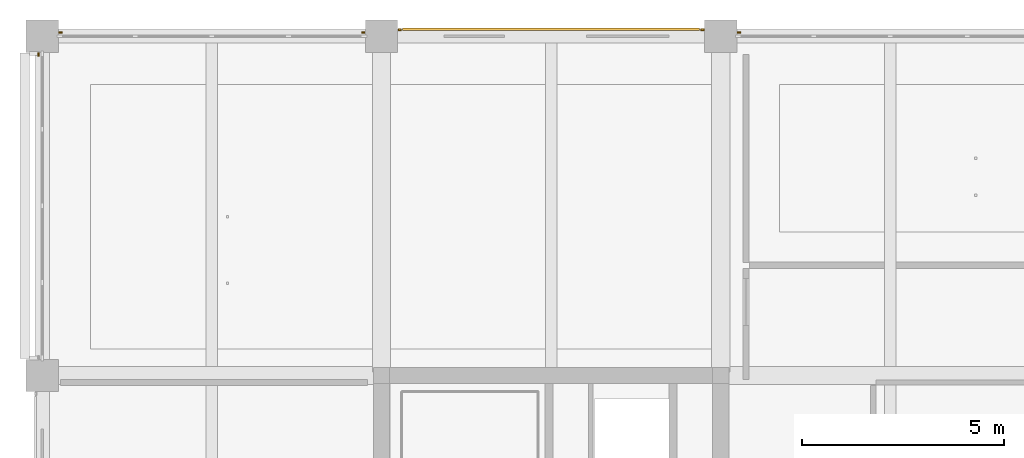
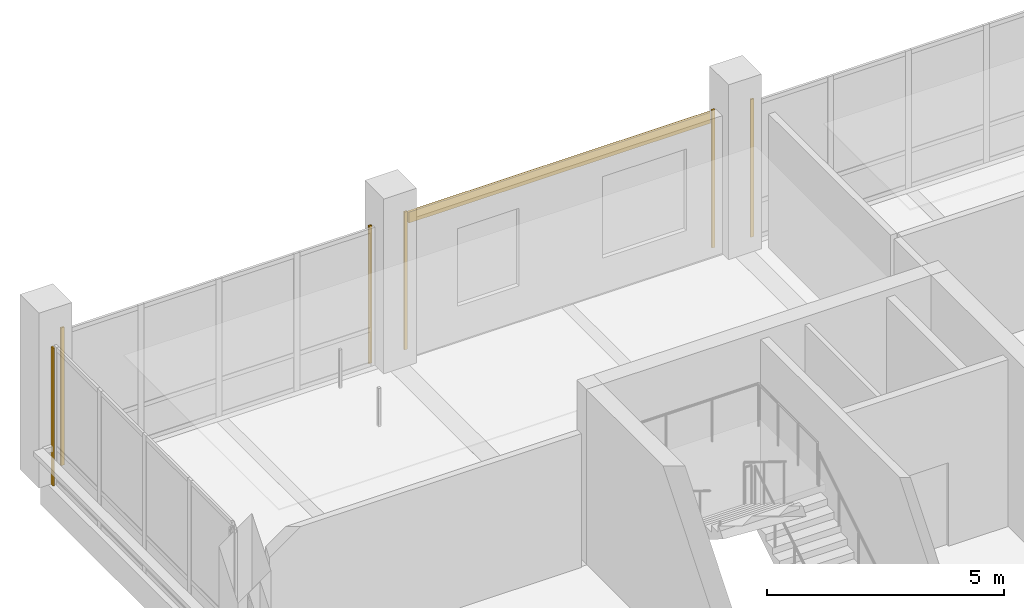
# One storey, part 34 of 36: 7 coverings.
"""IFC4 building model written with IfcOpenShell, lengths in metres."""

from ifc_helpers import new_model, si_unit, direction, frame, origin, origin_2d, place, context, subcontext, project, spatial, rectangle, extrude, material, layer, layer_set, type_object, element, save


model = new_model("IFC4")

# Units and contexts
model_context = context("Model", 3, precision=1e-05, world=origin(), true_north=direction((0.0, 1.0)))
body_context = subcontext(model_context, "Body", "Model", "MODEL_VIEW")
ifc_project = project(units=[si_unit("LENGTHUNIT", "METRE"), si_unit("AREAUNIT", "SQUARE_METRE"), si_unit("VOLUMEUNIT", "CUBIC_METRE"), si_unit("PLANEANGLEUNIT", "RADIAN"), si_unit("MASSUNIT", "GRAM", prefix="KILO")], contexts=[model_context])

# Site, building, storey
site_placement = place(None, origin())
site = spatial("IfcSite", under=ifc_project, at=site_placement, CompositionType="ELEMENT")
building_placement = place(site_placement, origin())
building = spatial("IfcBuilding", under=site, at=building_placement, Name="Telukmera Botanical Conservatory", CompositionType="ELEMENT")
storey_placement = place(building_placement, frame((0.0, 0.0, 33.0)))
storey = spatial("IfcBuildingStorey", under=building, at=storey_placement, Name="L07", CompositionType="ELEMENT", Elevation=33.0)

# Coverings
ifc_material_1 = material(Name="Granite-faced precast concrete C40/50", Category="masonry")
ifc_layer_1 = layer(ifc_material_1, 0.0400390625)
ifc_layer_set_1 = layer_set([ifc_layer_1], Name="Granite-faced precast concrete C40/50")
covering_type_1 = type_object("IfcCoveringType", Name="Granite Precast Column Pier Reveal Casing", PredefinedType="CLADDING", material=ifc_layer_set_1)
for number, where, z_axis, x_axis, name in (
    (1, (50.85205078125, 42.889892578125, 0.0), (0.0, 0.0, 1.0), (1.0, 0.0, 0.0), "Granite Pier Reveal V4:L07:N1 L"),
    (2, (58.347900390625, 42.889892578125, 0.0), (0.0, 0.0, 1.0), (1.0, 0.0, 0.0), "Granite Pier Reveal V4:L07:N1 R"),
    (3, (59.251953125, 42.9599609375, 0.0), (0.0, 0.0, 1.0), (1.0, 0.0, 0.0), "Granite Pier Reveal V4:L07:N2 L"),
    (4, (66.748046875, 42.9599609375, 0.0), (0.0, 0.0, 1.0), (1.0, 0.0, 0.0), "Granite Pier Reveal V4:L07:N2 R"),
    (5, (67.652099609375, 42.889892578125, 0.0), (0.0, 0.0, 1.0), (1.0, 0.0, 0.0), "Granite Pier Reveal V4:L07:N3 L"),
    (6, (50.31005859375, 42.347900390625, 0.0), (0.0, 0.0, 1.0), (0.0, 1.0, 0.0), "Granite Pier Reveal V4:L07:W4 R"),
):
    element("IfcCovering", number, at=place(storey_placement, frame(where, z_axis=z_axis, x_axis=x_axis)), inside=storey, type_object=covering_type_1, Name=name, PredefinedType="CLADDING", context=body_context, shape_type="SweptSolid", body=[
        extrude(rectangle(XDim=0.080078125, YDim=0.0400390625, at=origin_2d()), origin(), (0.0, 0.0, 1.0), 3.550048828125),
    ])
ifc_material_2 = material(Name="Terracotta-faced precast concrete C40/50", Category="masonry")
ifc_layer_2 = layer(ifc_material_2, 0.06005859375)
ifc_layer_set_2 = layer_set([ifc_layer_2], Name="Terracotta-faced precast concrete C40/50")
covering_type_2 = type_object("IfcCoveringType", Name="Polychrome Terracotta Facade Band Cladding", PredefinedType="CLADDING", material=ifc_layer_set_2)
covering_placement = place(storey_placement, frame((63.0, 42.969970703125, 3.22998046875), z_axis=(0.0, 0.0, 1.0), x_axis=(1.0, 0.0, 0.0)))
element("IfcCovering", 7, at=covering_placement, inside=storey, type_object=covering_type_2, Name="Polychrome Terracotta Band V4:L07:N2", PredefinedType="CLADDING", context=body_context, shape_type="SweptSolid", body=[
    extrude(rectangle(XDim=7.35595703125, YDim=0.06005859375, at=origin_2d()), origin(), (0.0, 0.0, 1.0), 0.280029296875),
])

save(model, "model.ifc")
